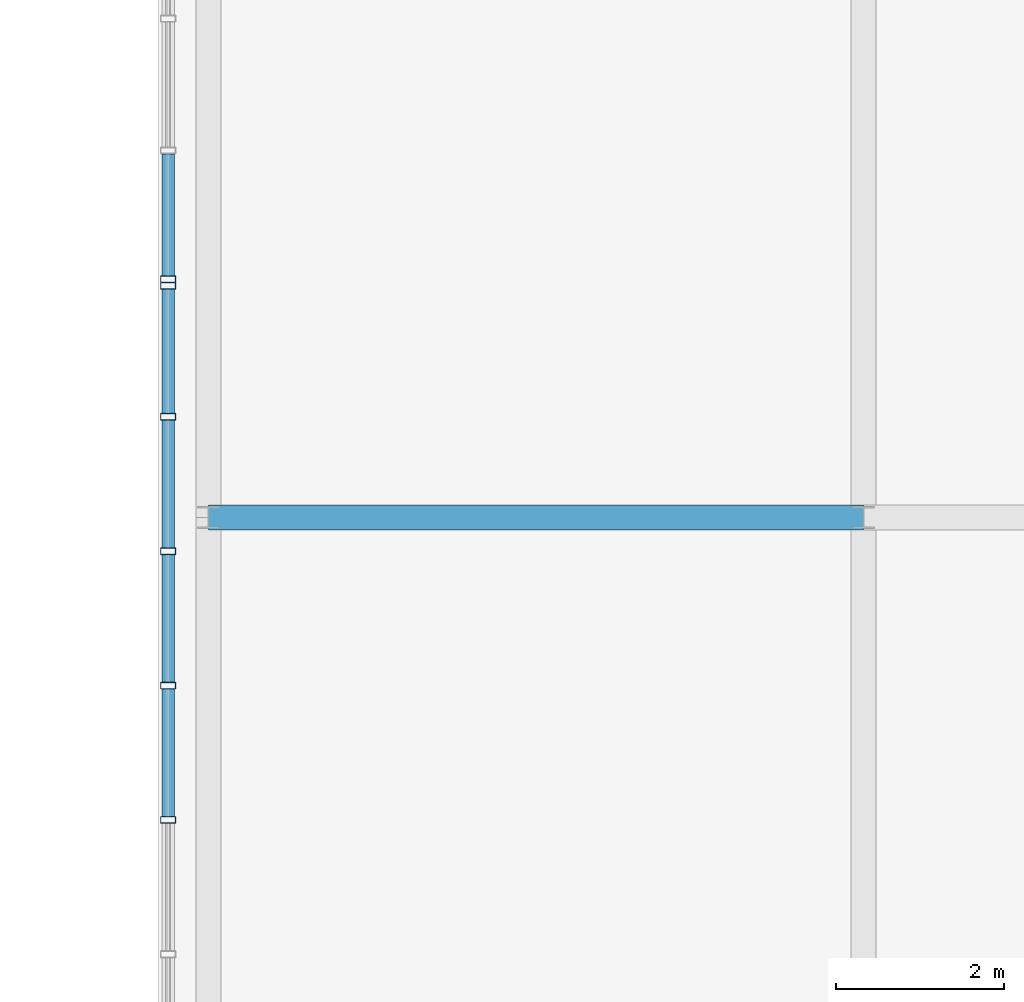
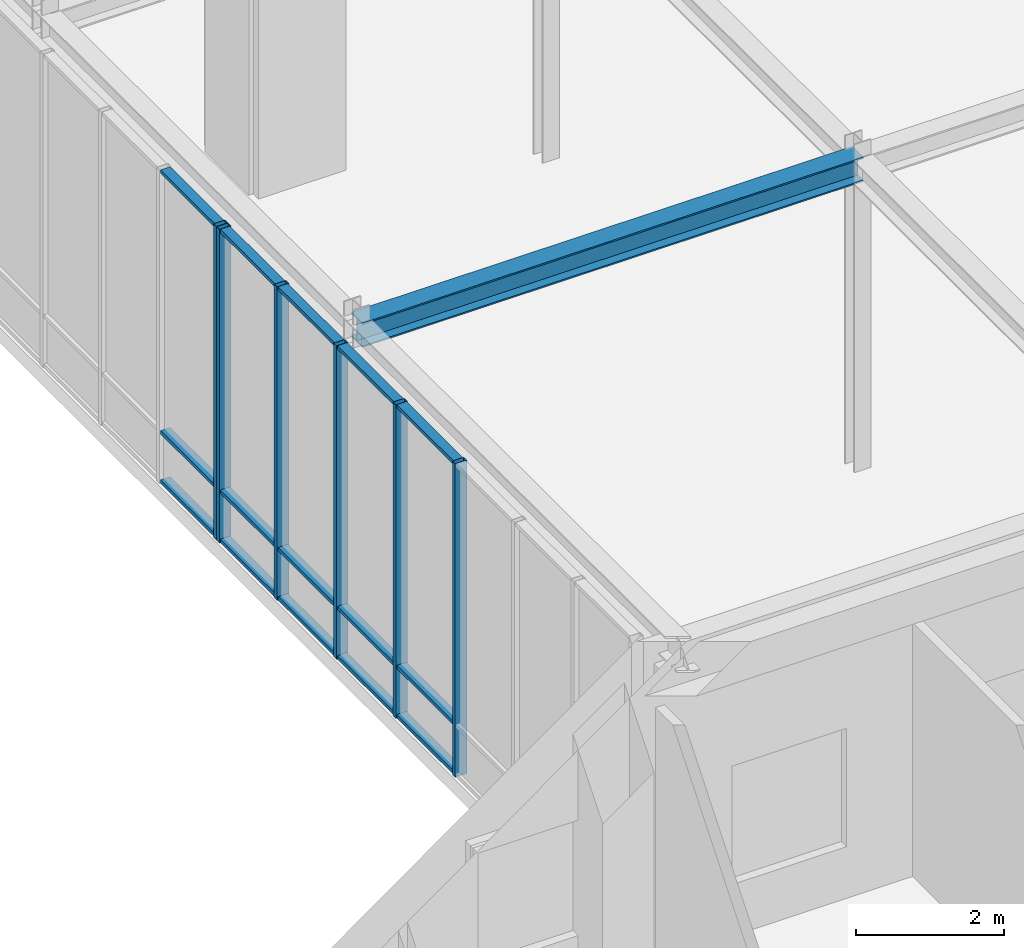
# One storey, part 21 of 139: 21 members, 1 beam, 2 elements without a shape of their own.
"""IFC4 building model written with IfcOpenShell, lengths in metres."""

from ifc_helpers import new_model, si_unit, direction, frame, origin, origin_2d, place, context, subcontext, project, spatial, hollow_rectangle, i_section, extrude, material, layer, layer_set, material_profile, profile_set, type_object, element, aggregate, save


model = new_model("IFC4")

# Units and contexts
model_context = context("Model", 3, precision=1e-05, world=origin(), true_north=direction((0.0, 1.0)))
body_context = subcontext(model_context, "Body", "Model", "MODEL_VIEW")
ifc_project = project(units=[si_unit("LENGTHUNIT", "METRE"), si_unit("AREAUNIT", "SQUARE_METRE"), si_unit("VOLUMEUNIT", "CUBIC_METRE"), si_unit("PLANEANGLEUNIT", "RADIAN"), si_unit("MASSUNIT", "GRAM", prefix="KILO")], contexts=[model_context])

# Site, building, storey
site_placement = place(None, origin())
site = spatial("IfcSite", under=ifc_project, at=site_placement, CompositionType="ELEMENT")
building_placement = place(site_placement, origin())
building = spatial("IfcBuilding", under=site, at=building_placement, Name="Zayran Congress Hotel", CompositionType="ELEMENT")
storey_placement = place(building_placement, frame((0.0, 0.0, 5.39990234375)))
storey = spatial("IfcBuildingStorey", under=building, at=storey_placement, Name="L01", CompositionType="ELEMENT", Elevation=5.39990234375)

# Beam
ifc_material_1 = material(Name="Steel S355", Category="steel")
ifc_material_profile_1 = material_profile(ifc_material_1, i_section(OverallWidth=0.300048828125, OverallDepth=0.39990234375, WebThickness=0.013427734375, FlangeThickness=0.02392578125, at=origin_2d()), Name="HEB 400")
ifc_profile_set_1 = profile_set([ifc_material_profile_1], Name="Steel S355")
beam_type = type_object("IfcBeamType", Name="TP-BM-10", PredefinedType="BEAM", material=ifc_profile_set_1)
beam_placement = place(storey_placement, frame((76.199951171875, 42.39990234375, 4.960205078125), z_axis=(1.0, 0.0, 0.0), x_axis=(0.0, 1.0, 0.0)))
element("IfcBeam", 1, at=beam_placement, inside=storey, type_object=beam_type, Name="BM-BR2-L01-2458", PredefinedType="BEAM", context=body_context, shape_type="SweptSolid", body=[
    extrude(i_section(OverallWidth=0.300048828125, OverallDepth=0.39990234375, WebThickness=0.013427734375, FlangeThickness=0.02392578125, at=origin_2d()), origin(), (0.0, 0.0, 1.0), 7.800048828125),
])

# Curtain wall, members
ifc_material_2 = material(Name="Anodised aluminium and low-E insulated glass", Category="aluminium")
ifc_layer_1 = layer(ifc_material_2, 0.179931640625)
ifc_layer_set_1 = layer_set([ifc_layer_1], Name="Anodised aluminium and low-E insulated glass")
curtain_wall_type_1 = type_object("IfcCurtainWallType", Name="CW-BR2-L01-CW-BR2-11200-5160", PredefinedType="USERDEFINED", material=ifc_layer_set_1)
curtain_wall_1_placement = place(storey_placement, origin())
curtain_wall_1 = element("IfcCurtainWall", 2, at=curtain_wall_1_placement, inside=storey, type_object=curtain_wall_type_1, Name="CW-BR2W-L01-0", ObjectType="CURTAIN WALL", PredefinedType="USERDEFINED")
ifc_material_3 = material(Name="Anodised aluminium framing", Category="aluminium")
ifc_material_profile_2 = material_profile(ifc_material_3, hollow_rectangle(XDim=0.080078125, YDim=0.179931640625, WallThickness=0.0048828125, at=origin_2d()), Name="RHS 180x80x5")
ifc_profile_set_2 = profile_set([ifc_material_profile_2], Name="Anodised aluminium framing")
member_type_1 = type_object("IfcMemberType", Name="TP-CWM-01", PredefinedType="MULLION", material=ifc_profile_set_2)
member_1_placement = place(storey_placement, frame((75.719970703125, 45.159912109375, 0.0), z_axis=(0.0, 0.0, 1.0), x_axis=(0.0, 1.0, 0.0)))
member_1 = element("IfcMember", 3, at=member_1_placement, type_object=member_type_1, Name="CW-BR2W-L01-0-M00", PredefinedType="MULLION", context=body_context, shape_type="SweptSolid", body=[
    extrude(hollow_rectangle(XDim=0.080078125, YDim=0.179931640625, WallThickness=0.0048828125, at=origin_2d()), origin(), (0.0, 0.0, 1.0), 5.16015625),
])
member_2_placement = place(storey_placement, frame((75.719970703125, 43.60009765625, 0.0), z_axis=(0.0, 0.0, 1.0), x_axis=(0.0, 1.0, 0.0)))
member_2 = element("IfcMember", 4, at=member_2_placement, type_object=member_type_1, Name="CW-BR2W-L01-0-M01", PredefinedType="MULLION", context=body_context, shape_type="SweptSolid", body=[
    extrude(hollow_rectangle(XDim=0.080078125, YDim=0.179931640625, WallThickness=0.0048828125, at=origin_2d()), origin(), (0.0, 0.0, 1.0), 5.16015625),
])
member_3_placement = place(storey_placement, frame((75.719970703125, 42.0, 0.0), z_axis=(0.0, 0.0, 1.0), x_axis=(0.0, 1.0, 0.0)))
member_3 = element("IfcMember", 5, at=member_3_placement, type_object=member_type_1, Name="CW-BR2W-L01-0-M02", PredefinedType="MULLION", context=body_context, shape_type="SweptSolid", body=[
    extrude(hollow_rectangle(XDim=0.080078125, YDim=0.179931640625, WallThickness=0.0048828125, at=origin_2d()), origin(), (0.0, 0.0, 1.0), 5.16015625),
])
member_4_placement = place(storey_placement, frame((75.719970703125, 40.39990234375, 0.0), z_axis=(0.0, 0.0, 1.0), x_axis=(0.0, 1.0, 0.0)))
member_4 = element("IfcMember", 6, at=member_4_placement, type_object=member_type_1, Name="CW-BR2W-L01-0-M03", PredefinedType="MULLION", context=body_context, shape_type="SweptSolid", body=[
    extrude(hollow_rectangle(XDim=0.080078125, YDim=0.179931640625, WallThickness=0.0048828125, at=origin_2d()), origin(), (0.0, 0.0, 1.0), 5.16015625),
])
member_5_placement = place(storey_placement, frame((75.719970703125, 38.800048828125, 0.0), z_axis=(0.0, 0.0, 1.0), x_axis=(0.0, 1.0, 0.0)))
member_5 = element("IfcMember", 7, at=member_5_placement, type_object=member_type_1, Name="CW-BR2W-L01-0-M04", PredefinedType="MULLION", context=body_context, shape_type="SweptSolid", body=[
    extrude(hollow_rectangle(XDim=0.080078125, YDim=0.179931640625, WallThickness=0.0048828125, at=origin_2d()), origin(), (0.0, 0.0, 1.0), 5.16015625),
])

# Curtain wall, member
ifc_layer_2 = layer(ifc_material_2, 0.179931640625)
ifc_layer_set_2 = layer_set([ifc_layer_2], Name="Anodised aluminium and low-E insulated glass")
curtain_wall_type_2 = type_object("IfcCurtainWallType", Name="CW-BR2-L01-CW-BR2-11000-5160", PredefinedType="USERDEFINED", material=ifc_layer_set_2)
curtain_wall_2_placement = place(storey_placement, origin())
curtain_wall_2 = element("IfcCurtainWall", 8, at=curtain_wall_2_placement, inside=storey, type_object=curtain_wall_type_2, Name="CW-BR2W-L01-1", ObjectType="CURTAIN WALL", PredefinedType="USERDEFINED")
member_6_placement = place(storey_placement, frame((75.719970703125, 45.239990234375, 0.0), z_axis=(0.0, 0.0, 1.0), x_axis=(0.0, 1.0, 0.0)))
member_6 = element("IfcMember", 9, at=member_6_placement, type_object=member_type_1, Name="CW-BR2W-L01-1-M07", PredefinedType="MULLION", context=body_context, shape_type="SweptSolid", body=[
    extrude(hollow_rectangle(XDim=0.080078125, YDim=0.179931640625, WallThickness=0.0048828125, at=origin_2d()), origin(), (0.0, 0.0, 1.0), 5.16015625),
])

# Member
ifc_material_profile_3 = material_profile(ifc_material_3, hollow_rectangle(XDim=0.06005859375, YDim=0.14990234375, WallThickness=0.00390625, at=origin_2d()), Name="RHS 150x60x4")
ifc_profile_set_3 = profile_set([ifc_material_profile_3], Name="Anodised aluminium framing")
member_type_2 = type_object("IfcMemberType", Name="TP-CWT-01", PredefinedType="USERDEFINED", material=ifc_profile_set_3)
member_7_placement = place(storey_placement, frame((75.719970703125, 45.1201171875, 0.030029296875), z_axis=(0.0, -1.0, 0.0), x_axis=(0.0, 0.0, 1.0)))
member_7 = element("IfcMember", 10, at=member_7_placement, type_object=member_type_2, Name="CW-BR2W-L01-0-T00-0", ObjectType="TRANSOM", PredefinedType="USERDEFINED", context=body_context, shape_type="SweptSolid", body=[
    extrude(hollow_rectangle(XDim=0.06005859375, YDim=0.14990234375, WallThickness=0.00390625, at=origin_2d()), origin(), (0.0, 0.0, 1.0), 1.480224609375),
])

member_8_placement = place(storey_placement, frame((75.719970703125, 45.1201171875, 0.840087890625), z_axis=(0.0, -1.0, 0.0), x_axis=(0.0, 0.0, 1.0)))
member_8 = element("IfcMember", 11, at=member_8_placement, type_object=member_type_2, Name="CW-BR2W-L01-0-T00-1", ObjectType="TRANSOM", PredefinedType="USERDEFINED", context=body_context, shape_type="SweptSolid", body=[
    extrude(hollow_rectangle(XDim=0.06005859375, YDim=0.14990234375, WallThickness=0.00390625, at=origin_2d()), origin(), (0.0, 0.0, 1.0), 1.480224609375),
])

member_9_placement = place(storey_placement, frame((75.719970703125, 45.1201171875, 5.130126953125), z_axis=(0.0, -1.0, 0.0), x_axis=(0.0, 0.0, 1.0)))
member_9 = element("IfcMember", 12, at=member_9_placement, type_object=member_type_2, Name="CW-BR2W-L01-0-T00-2", ObjectType="TRANSOM", PredefinedType="USERDEFINED", context=body_context, shape_type="SweptSolid", body=[
    extrude(hollow_rectangle(XDim=0.06005859375, YDim=0.14990234375, WallThickness=0.00390625, at=origin_2d()), origin(), (0.0, 0.0, 1.0), 1.480224609375),
])

member_10_placement = place(storey_placement, frame((75.719970703125, 43.56005859375, 0.030029296875), z_axis=(0.0, -1.0, 0.0), x_axis=(0.0, 0.0, 1.0)))
member_10 = element("IfcMember", 13, at=member_10_placement, type_object=member_type_2, Name="CW-BR2W-L01-0-T01-0", ObjectType="TRANSOM", PredefinedType="USERDEFINED", context=body_context, shape_type="SweptSolid", body=[
    extrude(hollow_rectangle(XDim=0.06005859375, YDim=0.14990234375, WallThickness=0.00390625, at=origin_2d()), origin(), (0.0, 0.0, 1.0), 1.52001953125),
])

member_11_placement = place(storey_placement, frame((75.719970703125, 43.56005859375, 0.840087890625), z_axis=(0.0, -1.0, 0.0), x_axis=(0.0, 0.0, 1.0)))
member_11 = element("IfcMember", 14, at=member_11_placement, type_object=member_type_2, Name="CW-BR2W-L01-0-T01-1", ObjectType="TRANSOM", PredefinedType="USERDEFINED", context=body_context, shape_type="SweptSolid", body=[
    extrude(hollow_rectangle(XDim=0.06005859375, YDim=0.14990234375, WallThickness=0.00390625, at=origin_2d()), origin(), (0.0, 0.0, 1.0), 1.52001953125),
])

member_12_placement = place(storey_placement, frame((75.719970703125, 43.56005859375, 5.130126953125), z_axis=(0.0, -1.0, 0.0), x_axis=(0.0, 0.0, 1.0)))
member_12 = element("IfcMember", 15, at=member_12_placement, type_object=member_type_2, Name="CW-BR2W-L01-0-T01-2", ObjectType="TRANSOM", PredefinedType="USERDEFINED", context=body_context, shape_type="SweptSolid", body=[
    extrude(hollow_rectangle(XDim=0.06005859375, YDim=0.14990234375, WallThickness=0.00390625, at=origin_2d()), origin(), (0.0, 0.0, 1.0), 1.52001953125),
])

member_13_placement = place(storey_placement, frame((75.719970703125, 41.9599609375, 0.030029296875), z_axis=(0.0, -1.0, 0.0), x_axis=(0.0, 0.0, 1.0)))
member_13 = element("IfcMember", 16, at=member_13_placement, type_object=member_type_2, Name="CW-BR2W-L01-0-T02-0", ObjectType="TRANSOM", PredefinedType="USERDEFINED", context=body_context, shape_type="SweptSolid", body=[
    extrude(hollow_rectangle(XDim=0.06005859375, YDim=0.14990234375, WallThickness=0.00390625, at=origin_2d()), origin(), (0.0, 0.0, 1.0), 1.52001953125),
])

member_14_placement = place(storey_placement, frame((75.719970703125, 41.9599609375, 0.840087890625), z_axis=(0.0, -1.0, 0.0), x_axis=(0.0, 0.0, 1.0)))
member_14 = element("IfcMember", 17, at=member_14_placement, type_object=member_type_2, Name="CW-BR2W-L01-0-T02-1", ObjectType="TRANSOM", PredefinedType="USERDEFINED", context=body_context, shape_type="SweptSolid", body=[
    extrude(hollow_rectangle(XDim=0.06005859375, YDim=0.14990234375, WallThickness=0.00390625, at=origin_2d()), origin(), (0.0, 0.0, 1.0), 1.52001953125),
])

member_15_placement = place(storey_placement, frame((75.719970703125, 41.9599609375, 5.130126953125), z_axis=(0.0, -1.0, 0.0), x_axis=(0.0, 0.0, 1.0)))
member_15 = element("IfcMember", 18, at=member_15_placement, type_object=member_type_2, Name="CW-BR2W-L01-0-T02-2", ObjectType="TRANSOM", PredefinedType="USERDEFINED", context=body_context, shape_type="SweptSolid", body=[
    extrude(hollow_rectangle(XDim=0.06005859375, YDim=0.14990234375, WallThickness=0.00390625, at=origin_2d()), origin(), (0.0, 0.0, 1.0), 1.52001953125),
])

member_16_placement = place(storey_placement, frame((75.719970703125, 40.360107421875, 0.030029296875), z_axis=(0.0, -1.0, 0.0), x_axis=(0.0, 0.0, 1.0)))
member_16 = element("IfcMember", 19, at=member_16_placement, type_object=member_type_2, Name="CW-BR2W-L01-0-T03-0", ObjectType="TRANSOM", PredefinedType="USERDEFINED", context=body_context, shape_type="SweptSolid", body=[
    extrude(hollow_rectangle(XDim=0.06005859375, YDim=0.14990234375, WallThickness=0.00390625, at=origin_2d()), origin(), (0.0, 0.0, 1.0), 1.52001953125),
])

member_17_placement = place(storey_placement, frame((75.719970703125, 40.360107421875, 0.840087890625), z_axis=(0.0, -1.0, 0.0), x_axis=(0.0, 0.0, 1.0)))
member_17 = element("IfcMember", 20, at=member_17_placement, type_object=member_type_2, Name="CW-BR2W-L01-0-T03-1", ObjectType="TRANSOM", PredefinedType="USERDEFINED", context=body_context, shape_type="SweptSolid", body=[
    extrude(hollow_rectangle(XDim=0.06005859375, YDim=0.14990234375, WallThickness=0.00390625, at=origin_2d()), origin(), (0.0, 0.0, 1.0), 1.52001953125),
])

member_18_placement = place(storey_placement, frame((75.719970703125, 40.360107421875, 5.130126953125), z_axis=(0.0, -1.0, 0.0), x_axis=(0.0, 0.0, 1.0)))
member_18 = element("IfcMember", 21, at=member_18_placement, type_object=member_type_2, Name="CW-BR2W-L01-0-T03-2", ObjectType="TRANSOM", PredefinedType="USERDEFINED", context=body_context, shape_type="SweptSolid", body=[
    extrude(hollow_rectangle(XDim=0.06005859375, YDim=0.14990234375, WallThickness=0.00390625, at=origin_2d()), origin(), (0.0, 0.0, 1.0), 1.52001953125),
])

aggregate(curtain_wall_1, [member_1, member_2, member_3, member_4, member_5, member_7, member_8, member_9, member_10, member_11, member_12, member_13, member_14, member_15, member_16, member_17, member_18])

member_19_placement = place(storey_placement, frame((75.719970703125, 46.7314453125, 0.030029296875), z_axis=(0.0, -1.0, 0.0), x_axis=(0.0, 0.0, 1.0)))
member_19 = element("IfcMember", 22, at=member_19_placement, type_object=member_type_2, Name="CW-BR2W-L01-1-T06-0", ObjectType="TRANSOM", PredefinedType="USERDEFINED", context=body_context, shape_type="SweptSolid", body=[
    extrude(hollow_rectangle(XDim=0.06005859375, YDim=0.14990234375, WallThickness=0.00390625, at=origin_2d()), origin(), (0.0, 0.0, 1.0), 1.451416015625),
])

member_20_placement = place(storey_placement, frame((75.719970703125, 46.7314453125, 0.840087890625), z_axis=(0.0, -1.0, 0.0), x_axis=(0.0, 0.0, 1.0)))
member_20 = element("IfcMember", 23, at=member_20_placement, type_object=member_type_2, Name="CW-BR2W-L01-1-T06-1", ObjectType="TRANSOM", PredefinedType="USERDEFINED", context=body_context, shape_type="SweptSolid", body=[
    extrude(hollow_rectangle(XDim=0.06005859375, YDim=0.14990234375, WallThickness=0.00390625, at=origin_2d()), origin(), (0.0, 0.0, 1.0), 1.451416015625),
])

member_21_placement = place(storey_placement, frame((75.719970703125, 46.7314453125, 5.130126953125), z_axis=(0.0, -1.0, 0.0), x_axis=(0.0, 0.0, 1.0)))
member_21 = element("IfcMember", 24, at=member_21_placement, type_object=member_type_2, Name="CW-BR2W-L01-1-T06-2", ObjectType="TRANSOM", PredefinedType="USERDEFINED", context=body_context, shape_type="SweptSolid", body=[
    extrude(hollow_rectangle(XDim=0.06005859375, YDim=0.14990234375, WallThickness=0.00390625, at=origin_2d()), origin(), (0.0, 0.0, 1.0), 1.451416015625),
])

aggregate(curtain_wall_2, [member_6, member_19, member_20, member_21])

save(model, "model.ifc")
